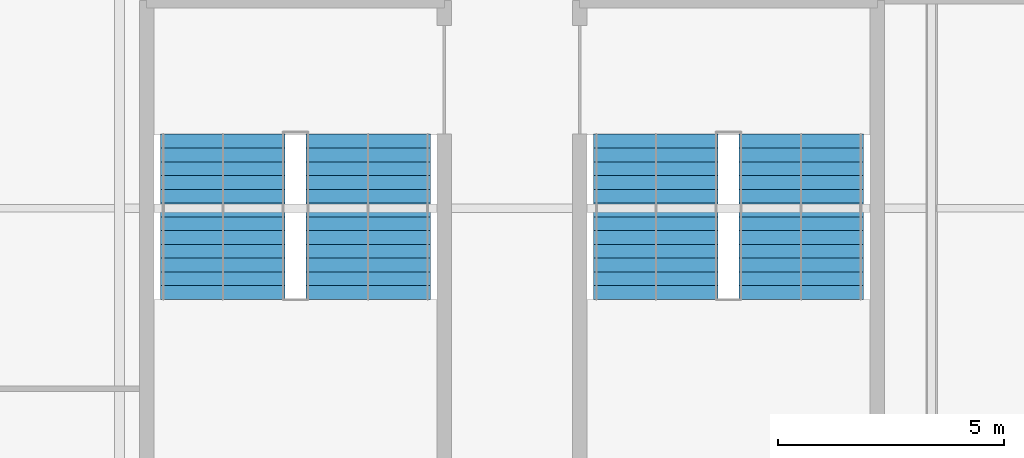
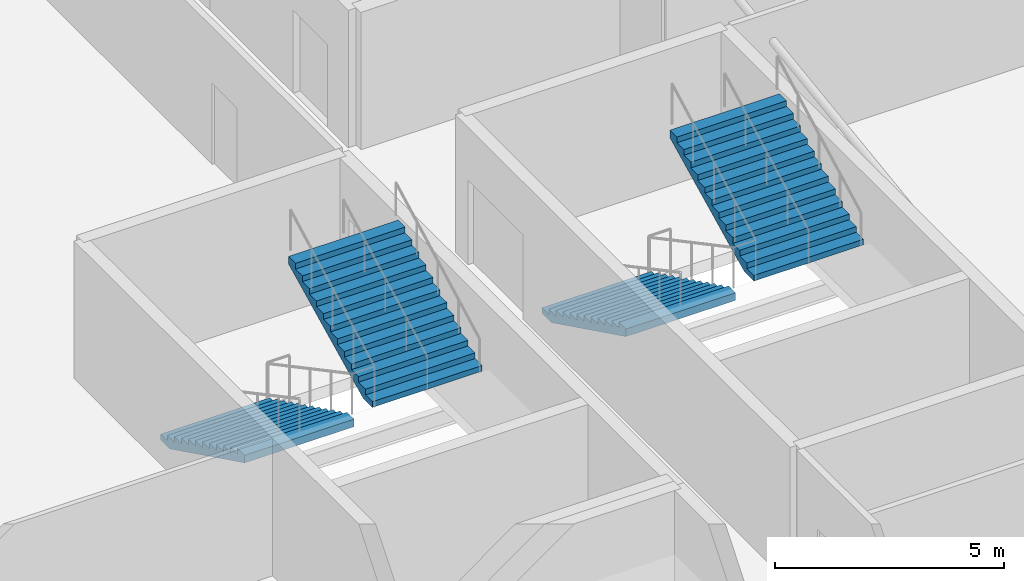
# One storey, part 86 of 96: 4 stair flights, 2 elements without a shape of their own.
"""IFC4 building model written with IfcOpenShell, lengths in metres."""

from ifc_helpers import new_model, si_unit, direction, frame, origin, place, context, subcontext, project, spatial, polygons, material, type_object, element, aggregate, save


model = new_model("IFC4")

# Units and contexts
model_context = context("Model", 3, precision=1e-05, world=origin(), true_north=direction((0.0, 1.0)))
body_context = subcontext(model_context, "Body", "Model", "MODEL_VIEW")
ifc_project = project(units=[si_unit("LENGTHUNIT", "METRE"), si_unit("AREAUNIT", "SQUARE_METRE"), si_unit("VOLUMEUNIT", "CUBIC_METRE"), si_unit("PLANEANGLEUNIT", "RADIAN"), si_unit("MASSUNIT", "GRAM", prefix="KILO")], contexts=[model_context])

# Site, building, storey
site_placement = place(None, origin())
site = spatial("IfcSite", under=ifc_project, at=site_placement, CompositionType="ELEMENT")
building_placement = place(site_placement, origin())
building = spatial("IfcBuilding", under=site, at=building_placement, Name="Kisiwana Market Hall", CompositionType="ELEMENT")
storey_placement = place(building_placement, frame((0.0, 0.0, 25.5)))
storey = spatial("IfcBuildingStorey", under=building, at=storey_placement, Name="L05", CompositionType="ELEMENT", Elevation=25.5)

# Stair, stair flights
ifc_material_1 = material(Name="Concrete C32/40", Category="concrete")
stair_type = type_object("IfcStairType", Name="ST-ESC-3900", PredefinedType="TWO_STRAIGHT_RUN_STAIR", material=ifc_material_1)
stair_1_placement = place(storey_placement, origin())
stair_1 = element("IfcStair", 1, at=stair_1_placement, inside=storey, type_object=stair_type, Name="Escape stair ST-E4-L05", PredefinedType="TWO_STRAIGHT_RUN_STAIR")
ifc_material_2 = material(Name="Concrete C32/40", Category="concrete")
stair_flight_type = type_object("IfcStairFlightType", Name="SF-ESC-3900", PredefinedType="STRAIGHT", material=ifc_material_2)
stair_flight_1_placement = place(storey_placement, frame((182.889892578125, 77.639892578125, 0.0), z_axis=(0.0, 0.0, 1.0), x_axis=(0.0, -1.0, 0.0)))
stair_flight_1 = element("IfcStairFlight", 2, at=stair_flight_1_placement, type_object=stair_flight_type, Name="ST-E4-L05 flight 1", NumberOfRisers=13, NumberOfTreads=12, PredefinedType="STRAIGHT", RiserHeight=0.15, TreadLength=0.305, context=body_context, shape_type="Tessellation", body=[
    polygons([(0.0, -1.380127, 0.0), (0.0, -0.690125, 0.0), (0.0, -0.000122, 0.0), (0.0, 0.68988, 0.0), (0.0, 1.379883, 0.0), (0.0, -1.380127, 0.149902), (0.0, -0.690125, 0.149902), (0.0, -0.000122, 0.149902), (0.0, 0.68988, 0.149902), (0.0, 1.379883, 0.149902), (0.304932, -1.380127, 0.149902), (0.304932, -0.690125, 0.149902), (0.304932, -0.000122, 0.149902), (0.304932, 0.68988, 0.149902), (0.304932, 1.379883, 0.149902), (0.304932, -1.380127, 0.300049), (0.304932, -0.690125, 0.300049), (0.304932, -0.000122, 0.300049), (0.304932, 0.68988, 0.300049), (0.304932, 1.379883, 0.300049), (0.610107, -1.380127, 0.300049), (0.610107, -0.690125, 0.300049), (0.610107, -0.000122, 0.300049), (0.610107, 0.68988, 0.300049), (0.610107, 1.379883, 0.300049), (0.610107, -1.380127, 0.449951), (0.610107, -0.690125, 0.449951), (0.610107, -0.000122, 0.449951), (0.610107, 0.68988, 0.449951), (0.610107, 1.379883, 0.449951), (0.915039, -1.380127, 0.449951), (0.915039, -0.690125, 0.449951), (0.915039, -0.000122, 0.449951), (0.915039, 0.68988, 0.449951), (0.915039, 1.379883, 0.449951), (0.915039, -1.380127, 0.600098), (0.915039, -0.690125, 0.600098), (0.915039, -0.000122, 0.600098), (0.915039, 0.68988, 0.600098), (0.915039, 1.379883, 0.600098), (1.219971, -1.380127, 0.600098), (1.219971, -0.690125, 0.600098), (1.219971, -0.000122, 0.600098), (1.219971, 0.68988, 0.600098), (1.219971, 1.379883, 0.600098), (1.219971, -1.380127, 0.75), (1.219971, -0.690125, 0.75), (1.219971, -0.000122, 0.75), (1.219971, 0.68988, 0.75), (1.219971, 1.379883, 0.75), (1.524902, -1.380127, 0.75), (1.524902, -0.690125, 0.75), (1.524902, -0.000122, 0.75), (1.524902, 0.68988, 0.75), (1.524902, 1.379883, 0.75), (1.524902, -1.380127, 0.899902), (1.524902, -0.690125, 0.899902), (1.524902, -0.000122, 0.899902), (1.524902, 0.68988, 0.899902), (1.524902, 1.379883, 0.899902), (1.830078, -1.380127, 0.899902), (1.830078, -0.690125, 0.899902), (1.830078, -0.000122, 0.899902), (1.830078, 0.68988, 0.899902), (1.830078, 1.379883, 0.899902), (1.830078, -1.380127, 1.050049), (1.830078, -0.690125, 1.050049), (1.830078, -0.000122, 1.050049), (1.830078, 0.68988, 1.050049), (1.830078, 1.379883, 1.050049), (2.13501, -1.380127, 1.050049), (2.13501, -0.690125, 1.050049), (2.13501, -0.000122, 1.050049), (2.13501, 0.68988, 1.050049), (2.13501, 1.379883, 1.050049), (2.13501, -1.380127, 1.199951), (2.13501, -0.690125, 1.199951), (2.13501, -0.000122, 1.199951), (2.13501, 0.68988, 1.199951), (2.13501, 1.379883, 1.199951), (2.439941, -1.380127, 1.199951), (2.439941, -0.690125, 1.199951), (2.439941, -0.000122, 1.199951), (2.439941, 0.68988, 1.199951), (2.439941, 1.379883, 1.199951), (2.439941, -1.380127, 1.350098), (2.439941, -0.690125, 1.350098), (2.439941, -0.000122, 1.350098), (2.439941, 0.68988, 1.350098), (2.439941, 1.379883, 1.350098), (2.745117, -1.380127, 1.350098), (2.745117, -0.690125, 1.350098), (2.745117, -0.000122, 1.350098), (2.745117, 0.68988, 1.350098), (2.745117, 1.379883, 1.350098), (2.745117, -1.380127, 1.5), (2.745117, -0.690125, 1.5), (2.745117, -0.000122, 1.5), (2.745117, 0.68988, 1.5), (2.745117, 1.379883, 1.5), (3.050049, -1.380127, 1.5), (3.050049, -0.690125, 1.5), (3.050049, -0.000122, 1.5), (3.050049, 0.68988, 1.5), (3.050049, 1.379883, 1.5), (3.050049, -1.380127, 1.649902), (3.050049, -0.690125, 1.649902), (3.050049, -0.000122, 1.649902), (3.050049, 0.68988, 1.649902), (3.050049, 1.379883, 1.649902), (3.35498, -1.380127, 1.649902), (3.35498, -0.690125, 1.649902), (3.35498, -0.000122, 1.649902), (3.35498, 0.68988, 1.649902), (3.35498, 1.379883, 1.649902), (3.35498, -1.380127, 1.800049), (3.35498, -0.690125, 1.800049), (3.35498, -0.000122, 1.800049), (3.35498, 0.68988, 1.800049), (3.35498, 1.379883, 1.800049), (3.659912, -1.380127, 1.800049), (3.659912, -0.690125, 1.800049), (3.659912, -0.000122, 1.800049), (3.659912, 0.68988, 1.800049), (3.659912, 1.379883, 1.800049), (3.659912, -1.380127, 1.599365), (3.659912, -0.690125, 1.599365), (3.659912, -0.000122, 1.599365), (3.659912, 0.68988, 1.599365), (3.659912, 1.379883, 1.599365), (0.407715, -1.380127, 0.0), (0.407715, -0.690125, 0.0), (0.407715, -0.000122, 0.0), (0.407715, 0.68988, 0.0), (0.407715, 1.379883, 0.0)], [[[1, 6, 7, 2]], [[2, 7, 8, 3]], [[3, 8, 9, 4]], [[4, 9, 10, 5]], [[6, 11, 12, 7]], [[7, 12, 13, 8]], [[8, 13, 14, 9]], [[9, 14, 15, 10]], [[11, 16, 17, 12]], [[12, 17, 18, 13]], [[13, 18, 19, 14]], [[14, 19, 20, 15]], [[16, 21, 22, 17]], [[17, 22, 23, 18]], [[18, 23, 24, 19]], [[19, 24, 25, 20]], [[21, 26, 27, 22]], [[22, 27, 28, 23]], [[23, 28, 29, 24]], [[24, 29, 30, 25]], [[26, 31, 32, 27]], [[27, 32, 33, 28]], [[28, 33, 34, 29]], [[29, 34, 35, 30]], [[31, 36, 37, 32]], [[32, 37, 38, 33]], [[33, 38, 39, 34]], [[34, 39, 40, 35]], [[36, 41, 42, 37]], [[37, 42, 43, 38]], [[38, 43, 44, 39]], [[39, 44, 45, 40]], [[41, 46, 47, 42]], [[42, 47, 48, 43]], [[43, 48, 49, 44]], [[44, 49, 50, 45]], [[46, 51, 52, 47]], [[47, 52, 53, 48]], [[48, 53, 54, 49]], [[49, 54, 55, 50]], [[51, 56, 57, 52]], [[52, 57, 58, 53]], [[53, 58, 59, 54]], [[54, 59, 60, 55]], [[56, 61, 62, 57]], [[57, 62, 63, 58]], [[58, 63, 64, 59]], [[59, 64, 65, 60]], [[61, 66, 67, 62]], [[62, 67, 68, 63]], [[63, 68, 69, 64]], [[64, 69, 70, 65]], [[66, 71, 72, 67]], [[67, 72, 73, 68]], [[68, 73, 74, 69]], [[69, 74, 75, 70]], [[71, 76, 77, 72]], [[72, 77, 78, 73]], [[73, 78, 79, 74]], [[74, 79, 80, 75]], [[76, 81, 82, 77]], [[77, 82, 83, 78]], [[78, 83, 84, 79]], [[79, 84, 85, 80]], [[81, 86, 87, 82]], [[82, 87, 88, 83]], [[83, 88, 89, 84]], [[84, 89, 90, 85]], [[86, 91, 92, 87]], [[87, 92, 93, 88]], [[88, 93, 94, 89]], [[89, 94, 95, 90]], [[91, 96, 97, 92]], [[92, 97, 98, 93]], [[93, 98, 99, 94]], [[94, 99, 100, 95]], [[96, 101, 102, 97]], [[97, 102, 103, 98]], [[98, 103, 104, 99]], [[99, 104, 105, 100]], [[101, 106, 107, 102]], [[102, 107, 108, 103]], [[103, 108, 109, 104]], [[104, 109, 110, 105]], [[106, 111, 112, 107]], [[107, 112, 113, 108]], [[108, 113, 114, 109]], [[109, 114, 115, 110]], [[111, 116, 117, 112]], [[112, 117, 118, 113]], [[113, 118, 119, 114]], [[114, 119, 120, 115]], [[116, 121, 122, 117]], [[117, 122, 123, 118]], [[118, 123, 124, 119]], [[119, 124, 125, 120]], [[121, 126, 127, 122]], [[122, 127, 128, 123]], [[123, 128, 129, 124]], [[124, 129, 130, 125]], [[126, 131, 132, 127]], [[127, 132, 133, 128]], [[128, 133, 134, 129]], [[129, 134, 135, 130]], [[131, 1, 2, 132]], [[132, 2, 3, 133]], [[133, 3, 4, 134]], [[134, 4, 5, 135]], [[131, 126, 121, 116, 111, 106, 101, 96, 91, 86, 81, 76, 71, 66, 61, 56, 51, 46, 41, 36, 31, 26, 21, 16, 11, 6, 1]], [[5, 10, 15, 20, 25, 30, 35, 40, 45, 50, 55, 60, 65, 70, 75, 80, 85, 90, 95, 100, 105, 110, 115, 120, 125, 130, 135]]], closed=True),
])
stair_flight_2_placement = place(storey_placement, frame((186.110107421875, 73.97998046875, 1.949951171875), z_axis=(0.0, 0.0, 1.0), x_axis=(0.0, 1.0, 0.0)))
stair_flight_2 = element("IfcStairFlight", 3, at=stair_flight_2_placement, type_object=stair_flight_type, Name="ST-E4-L05 flight 2", NumberOfRisers=13, NumberOfTreads=12, PredefinedType="STRAIGHT", RiserHeight=0.15, TreadLength=0.305, context=body_context, shape_type="Tessellation", body=[
    polygons([(0.0, -1.380127, 0.0), (0.0, -0.690125, 0.0), (0.0, -0.000122, 0.0), (0.0, 0.68988, 0.0), (0.0, 1.379883, 0.0), (0.0, -1.380127, 0.149902), (0.0, -0.690125, 0.149902), (0.0, -0.000122, 0.149902), (0.0, 0.68988, 0.149902), (0.0, 1.379883, 0.149902), (0.304932, -1.380127, 0.149902), (0.304932, -0.690125, 0.149902), (0.304932, -0.000122, 0.149902), (0.304932, 0.68988, 0.149902), (0.304932, 1.379883, 0.149902), (0.304932, -1.380127, 0.300049), (0.304932, -0.690125, 0.300049), (0.304932, -0.000122, 0.300049), (0.304932, 0.68988, 0.300049), (0.304932, 1.379883, 0.300049), (0.610107, -1.380127, 0.300049), (0.610107, -0.690125, 0.300049), (0.610107, -0.000122, 0.300049), (0.610107, 0.68988, 0.300049), (0.610107, 1.379883, 0.300049), (0.610107, -1.380127, 0.449951), (0.610107, -0.690125, 0.449951), (0.610107, -0.000122, 0.449951), (0.610107, 0.68988, 0.449951), (0.610107, 1.379883, 0.449951), (0.915039, -1.380127, 0.449951), (0.915039, -0.690125, 0.449951), (0.915039, -0.000122, 0.449951), (0.915039, 0.68988, 0.449951), (0.915039, 1.379883, 0.449951), (0.915039, -1.380127, 0.600098), (0.915039, -0.690125, 0.600098), (0.915039, -0.000122, 0.600098), (0.915039, 0.68988, 0.600098), (0.915039, 1.379883, 0.600098), (1.219971, -1.380127, 0.600098), (1.219971, -0.690125, 0.600098), (1.219971, -0.000122, 0.600098), (1.219971, 0.68988, 0.600098), (1.219971, 1.379883, 0.600098), (1.219971, -1.380127, 0.75), (1.219971, -0.690125, 0.75), (1.219971, -0.000122, 0.75), (1.219971, 0.68988, 0.75), (1.219971, 1.379883, 0.75), (1.524902, -1.380127, 0.75), (1.524902, -0.690125, 0.75), (1.524902, -0.000122, 0.75), (1.524902, 0.68988, 0.75), (1.524902, 1.379883, 0.75), (1.524902, -1.380127, 0.899902), (1.524902, -0.690125, 0.899902), (1.524902, -0.000122, 0.899902), (1.524902, 0.68988, 0.899902), (1.524902, 1.379883, 0.899902), (1.830078, -1.380127, 0.899902), (1.830078, -0.690125, 0.899902), (1.830078, -0.000122, 0.899902), (1.830078, 0.68988, 0.899902), (1.830078, 1.379883, 0.899902), (1.830078, -1.380127, 1.050049), (1.830078, -0.690125, 1.050049), (1.830078, -0.000122, 1.050049), (1.830078, 0.68988, 1.050049), (1.830078, 1.379883, 1.050049), (2.13501, -1.380127, 1.050049), (2.13501, -0.690125, 1.050049), (2.13501, -0.000122, 1.050049), (2.13501, 0.68988, 1.050049), (2.13501, 1.379883, 1.050049), (2.13501, -1.380127, 1.199951), (2.13501, -0.690125, 1.199951), (2.13501, -0.000122, 1.199951), (2.13501, 0.68988, 1.199951), (2.13501, 1.379883, 1.199951), (2.439941, -1.380127, 1.199951), (2.439941, -0.690125, 1.199951), (2.439941, -0.000122, 1.199951), (2.439941, 0.68988, 1.199951), (2.439941, 1.379883, 1.199951), (2.439941, -1.380127, 1.350098), (2.439941, -0.690125, 1.350098), (2.439941, -0.000122, 1.350098), (2.439941, 0.68988, 1.350098), (2.439941, 1.379883, 1.350098), (2.745117, -1.380127, 1.350098), (2.745117, -0.690125, 1.350098), (2.745117, -0.000122, 1.350098), (2.745117, 0.68988, 1.350098), (2.745117, 1.379883, 1.350098), (2.745117, -1.380127, 1.5), (2.745117, -0.690125, 1.5), (2.745117, -0.000122, 1.5), (2.745117, 0.68988, 1.5), (2.745117, 1.379883, 1.5), (3.050049, -1.380127, 1.5), (3.050049, -0.690125, 1.5), (3.050049, -0.000122, 1.5), (3.050049, 0.68988, 1.5), (3.050049, 1.379883, 1.5), (3.050049, -1.380127, 1.649902), (3.050049, -0.690125, 1.649902), (3.050049, -0.000122, 1.649902), (3.050049, 0.68988, 1.649902), (3.050049, 1.379883, 1.649902), (3.35498, -1.380127, 1.649902), (3.35498, -0.690125, 1.649902), (3.35498, -0.000122, 1.649902), (3.35498, 0.68988, 1.649902), (3.35498, 1.379883, 1.649902), (3.35498, -1.380127, 1.800049), (3.35498, -0.690125, 1.800049), (3.35498, -0.000122, 1.800049), (3.35498, 0.68988, 1.800049), (3.35498, 1.379883, 1.800049), (3.659912, -1.380127, 1.800049), (3.659912, -0.690125, 1.800049), (3.659912, -0.000122, 1.800049), (3.659912, 0.68988, 1.800049), (3.659912, 1.379883, 1.800049), (3.659912, -1.380127, 1.599365), (3.659912, -0.690125, 1.599365), (3.659912, -0.000122, 1.599365), (3.659912, 0.68988, 1.599365), (3.659912, 1.379883, 1.599365), (0.407715, -1.380127, 0.0), (0.407715, -0.690125, 0.0), (0.407715, -0.000122, 0.0), (0.407715, 0.68988, 0.0), (0.407715, 1.379883, 0.0)], [[[1, 6, 7, 2]], [[2, 7, 8, 3]], [[3, 8, 9, 4]], [[4, 9, 10, 5]], [[6, 11, 12, 7]], [[7, 12, 13, 8]], [[8, 13, 14, 9]], [[9, 14, 15, 10]], [[11, 16, 17, 12]], [[12, 17, 18, 13]], [[13, 18, 19, 14]], [[14, 19, 20, 15]], [[16, 21, 22, 17]], [[17, 22, 23, 18]], [[18, 23, 24, 19]], [[19, 24, 25, 20]], [[21, 26, 27, 22]], [[22, 27, 28, 23]], [[23, 28, 29, 24]], [[24, 29, 30, 25]], [[26, 31, 32, 27]], [[27, 32, 33, 28]], [[28, 33, 34, 29]], [[29, 34, 35, 30]], [[31, 36, 37, 32]], [[32, 37, 38, 33]], [[33, 38, 39, 34]], [[34, 39, 40, 35]], [[36, 41, 42, 37]], [[37, 42, 43, 38]], [[38, 43, 44, 39]], [[39, 44, 45, 40]], [[41, 46, 47, 42]], [[42, 47, 48, 43]], [[43, 48, 49, 44]], [[44, 49, 50, 45]], [[46, 51, 52, 47]], [[47, 52, 53, 48]], [[48, 53, 54, 49]], [[49, 54, 55, 50]], [[51, 56, 57, 52]], [[52, 57, 58, 53]], [[53, 58, 59, 54]], [[54, 59, 60, 55]], [[56, 61, 62, 57]], [[57, 62, 63, 58]], [[58, 63, 64, 59]], [[59, 64, 65, 60]], [[61, 66, 67, 62]], [[62, 67, 68, 63]], [[63, 68, 69, 64]], [[64, 69, 70, 65]], [[66, 71, 72, 67]], [[67, 72, 73, 68]], [[68, 73, 74, 69]], [[69, 74, 75, 70]], [[71, 76, 77, 72]], [[72, 77, 78, 73]], [[73, 78, 79, 74]], [[74, 79, 80, 75]], [[76, 81, 82, 77]], [[77, 82, 83, 78]], [[78, 83, 84, 79]], [[79, 84, 85, 80]], [[81, 86, 87, 82]], [[82, 87, 88, 83]], [[83, 88, 89, 84]], [[84, 89, 90, 85]], [[86, 91, 92, 87]], [[87, 92, 93, 88]], [[88, 93, 94, 89]], [[89, 94, 95, 90]], [[91, 96, 97, 92]], [[92, 97, 98, 93]], [[93, 98, 99, 94]], [[94, 99, 100, 95]], [[96, 101, 102, 97]], [[97, 102, 103, 98]], [[98, 103, 104, 99]], [[99, 104, 105, 100]], [[101, 106, 107, 102]], [[102, 107, 108, 103]], [[103, 108, 109, 104]], [[104, 109, 110, 105]], [[106, 111, 112, 107]], [[107, 112, 113, 108]], [[108, 113, 114, 109]], [[109, 114, 115, 110]], [[111, 116, 117, 112]], [[112, 117, 118, 113]], [[113, 118, 119, 114]], [[114, 119, 120, 115]], [[116, 121, 122, 117]], [[117, 122, 123, 118]], [[118, 123, 124, 119]], [[119, 124, 125, 120]], [[121, 126, 127, 122]], [[122, 127, 128, 123]], [[123, 128, 129, 124]], [[124, 129, 130, 125]], [[126, 131, 132, 127]], [[127, 132, 133, 128]], [[128, 133, 134, 129]], [[129, 134, 135, 130]], [[131, 1, 2, 132]], [[132, 2, 3, 133]], [[133, 3, 4, 134]], [[134, 4, 5, 135]], [[131, 126, 121, 116, 111, 106, 101, 96, 91, 86, 81, 76, 71, 66, 61, 56, 51, 46, 41, 36, 31, 26, 21, 16, 11, 6, 1]], [[5, 10, 15, 20, 25, 30, 35, 40, 45, 50, 55, 60, 65, 70, 75, 80, 85, 90, 95, 100, 105, 110, 115, 120, 125, 130, 135]]], closed=True),
])
aggregate(stair_1, [stair_flight_1, stair_flight_2])

stair_2_placement = place(storey_placement, origin())
stair_2 = element("IfcStair", 4, at=stair_2_placement, inside=storey, type_object=stair_type, Name="Escape stair ST-E8-L05", PredefinedType="TWO_STRAIGHT_RUN_STAIR")
stair_flight_3_placement = place(storey_placement, frame((173.2900390625, 77.639892578125, 0.0), z_axis=(0.0, 0.0, 1.0), x_axis=(0.0, -1.0, 0.0)))
stair_flight_3 = element("IfcStairFlight", 5, at=stair_flight_3_placement, type_object=stair_flight_type, Name="ST-E8-L05 flight 1", NumberOfRisers=13, NumberOfTreads=12, PredefinedType="STRAIGHT", RiserHeight=0.15, TreadLength=0.305, context=body_context, shape_type="Tessellation", body=[
    polygons([(0.0, -1.380127, 0.0), (0.0, -0.690125, 0.0), (0.0, -0.000122, 0.0), (0.0, 0.68988, 0.0), (0.0, 1.379883, 0.0), (0.0, -1.380127, 0.149902), (0.0, -0.690125, 0.149902), (0.0, -0.000122, 0.149902), (0.0, 0.68988, 0.149902), (0.0, 1.379883, 0.149902), (0.304932, -1.380127, 0.149902), (0.304932, -0.690125, 0.149902), (0.304932, -0.000122, 0.149902), (0.304932, 0.68988, 0.149902), (0.304932, 1.379883, 0.149902), (0.304932, -1.380127, 0.300049), (0.304932, -0.690125, 0.300049), (0.304932, -0.000122, 0.300049), (0.304932, 0.68988, 0.300049), (0.304932, 1.379883, 0.300049), (0.610107, -1.380127, 0.300049), (0.610107, -0.690125, 0.300049), (0.610107, -0.000122, 0.300049), (0.610107, 0.68988, 0.300049), (0.610107, 1.379883, 0.300049), (0.610107, -1.380127, 0.449951), (0.610107, -0.690125, 0.449951), (0.610107, -0.000122, 0.449951), (0.610107, 0.68988, 0.449951), (0.610107, 1.379883, 0.449951), (0.915039, -1.380127, 0.449951), (0.915039, -0.690125, 0.449951), (0.915039, -0.000122, 0.449951), (0.915039, 0.68988, 0.449951), (0.915039, 1.379883, 0.449951), (0.915039, -1.380127, 0.600098), (0.915039, -0.690125, 0.600098), (0.915039, -0.000122, 0.600098), (0.915039, 0.68988, 0.600098), (0.915039, 1.379883, 0.600098), (1.219971, -1.380127, 0.600098), (1.219971, -0.690125, 0.600098), (1.219971, -0.000122, 0.600098), (1.219971, 0.68988, 0.600098), (1.219971, 1.379883, 0.600098), (1.219971, -1.380127, 0.75), (1.219971, -0.690125, 0.75), (1.219971, -0.000122, 0.75), (1.219971, 0.68988, 0.75), (1.219971, 1.379883, 0.75), (1.524902, -1.380127, 0.75), (1.524902, -0.690125, 0.75), (1.524902, -0.000122, 0.75), (1.524902, 0.68988, 0.75), (1.524902, 1.379883, 0.75), (1.524902, -1.380127, 0.899902), (1.524902, -0.690125, 0.899902), (1.524902, -0.000122, 0.899902), (1.524902, 0.68988, 0.899902), (1.524902, 1.379883, 0.899902), (1.830078, -1.380127, 0.899902), (1.830078, -0.690125, 0.899902), (1.830078, -0.000122, 0.899902), (1.830078, 0.68988, 0.899902), (1.830078, 1.379883, 0.899902), (1.830078, -1.380127, 1.050049), (1.830078, -0.690125, 1.050049), (1.830078, -0.000122, 1.050049), (1.830078, 0.68988, 1.050049), (1.830078, 1.379883, 1.050049), (2.13501, -1.380127, 1.050049), (2.13501, -0.690125, 1.050049), (2.13501, -0.000122, 1.050049), (2.13501, 0.68988, 1.050049), (2.13501, 1.379883, 1.050049), (2.13501, -1.380127, 1.199951), (2.13501, -0.690125, 1.199951), (2.13501, -0.000122, 1.199951), (2.13501, 0.68988, 1.199951), (2.13501, 1.379883, 1.199951), (2.439941, -1.380127, 1.199951), (2.439941, -0.690125, 1.199951), (2.439941, -0.000122, 1.199951), (2.439941, 0.68988, 1.199951), (2.439941, 1.379883, 1.199951), (2.439941, -1.380127, 1.350098), (2.439941, -0.690125, 1.350098), (2.439941, -0.000122, 1.350098), (2.439941, 0.68988, 1.350098), (2.439941, 1.379883, 1.350098), (2.745117, -1.380127, 1.350098), (2.745117, -0.690125, 1.350098), (2.745117, -0.000122, 1.350098), (2.745117, 0.68988, 1.350098), (2.745117, 1.379883, 1.350098), (2.745117, -1.380127, 1.5), (2.745117, -0.690125, 1.5), (2.745117, -0.000122, 1.5), (2.745117, 0.68988, 1.5), (2.745117, 1.379883, 1.5), (3.050049, -1.380127, 1.5), (3.050049, -0.690125, 1.5), (3.050049, -0.000122, 1.5), (3.050049, 0.68988, 1.5), (3.050049, 1.379883, 1.5), (3.050049, -1.380127, 1.649902), (3.050049, -0.690125, 1.649902), (3.050049, -0.000122, 1.649902), (3.050049, 0.68988, 1.649902), (3.050049, 1.379883, 1.649902), (3.35498, -1.380127, 1.649902), (3.35498, -0.690125, 1.649902), (3.35498, -0.000122, 1.649902), (3.35498, 0.68988, 1.649902), (3.35498, 1.379883, 1.649902), (3.35498, -1.380127, 1.800049), (3.35498, -0.690125, 1.800049), (3.35498, -0.000122, 1.800049), (3.35498, 0.68988, 1.800049), (3.35498, 1.379883, 1.800049), (3.659912, -1.380127, 1.800049), (3.659912, -0.690125, 1.800049), (3.659912, -0.000122, 1.800049), (3.659912, 0.68988, 1.800049), (3.659912, 1.379883, 1.800049), (3.659912, -1.380127, 1.599365), (3.659912, -0.690125, 1.599365), (3.659912, -0.000122, 1.599365), (3.659912, 0.68988, 1.599365), (3.659912, 1.379883, 1.599365), (0.407715, -1.380127, 0.0), (0.407715, -0.690125, 0.0), (0.407715, -0.000122, 0.0), (0.407715, 0.68988, 0.0), (0.407715, 1.379883, 0.0)], [[[1, 6, 7, 2]], [[2, 7, 8, 3]], [[3, 8, 9, 4]], [[4, 9, 10, 5]], [[6, 11, 12, 7]], [[7, 12, 13, 8]], [[8, 13, 14, 9]], [[9, 14, 15, 10]], [[11, 16, 17, 12]], [[12, 17, 18, 13]], [[13, 18, 19, 14]], [[14, 19, 20, 15]], [[16, 21, 22, 17]], [[17, 22, 23, 18]], [[18, 23, 24, 19]], [[19, 24, 25, 20]], [[21, 26, 27, 22]], [[22, 27, 28, 23]], [[23, 28, 29, 24]], [[24, 29, 30, 25]], [[26, 31, 32, 27]], [[27, 32, 33, 28]], [[28, 33, 34, 29]], [[29, 34, 35, 30]], [[31, 36, 37, 32]], [[32, 37, 38, 33]], [[33, 38, 39, 34]], [[34, 39, 40, 35]], [[36, 41, 42, 37]], [[37, 42, 43, 38]], [[38, 43, 44, 39]], [[39, 44, 45, 40]], [[41, 46, 47, 42]], [[42, 47, 48, 43]], [[43, 48, 49, 44]], [[44, 49, 50, 45]], [[46, 51, 52, 47]], [[47, 52, 53, 48]], [[48, 53, 54, 49]], [[49, 54, 55, 50]], [[51, 56, 57, 52]], [[52, 57, 58, 53]], [[53, 58, 59, 54]], [[54, 59, 60, 55]], [[56, 61, 62, 57]], [[57, 62, 63, 58]], [[58, 63, 64, 59]], [[59, 64, 65, 60]], [[61, 66, 67, 62]], [[62, 67, 68, 63]], [[63, 68, 69, 64]], [[64, 69, 70, 65]], [[66, 71, 72, 67]], [[67, 72, 73, 68]], [[68, 73, 74, 69]], [[69, 74, 75, 70]], [[71, 76, 77, 72]], [[72, 77, 78, 73]], [[73, 78, 79, 74]], [[74, 79, 80, 75]], [[76, 81, 82, 77]], [[77, 82, 83, 78]], [[78, 83, 84, 79]], [[79, 84, 85, 80]], [[81, 86, 87, 82]], [[82, 87, 88, 83]], [[83, 88, 89, 84]], [[84, 89, 90, 85]], [[86, 91, 92, 87]], [[87, 92, 93, 88]], [[88, 93, 94, 89]], [[89, 94, 95, 90]], [[91, 96, 97, 92]], [[92, 97, 98, 93]], [[93, 98, 99, 94]], [[94, 99, 100, 95]], [[96, 101, 102, 97]], [[97, 102, 103, 98]], [[98, 103, 104, 99]], [[99, 104, 105, 100]], [[101, 106, 107, 102]], [[102, 107, 108, 103]], [[103, 108, 109, 104]], [[104, 109, 110, 105]], [[106, 111, 112, 107]], [[107, 112, 113, 108]], [[108, 113, 114, 109]], [[109, 114, 115, 110]], [[111, 116, 117, 112]], [[112, 117, 118, 113]], [[113, 118, 119, 114]], [[114, 119, 120, 115]], [[116, 121, 122, 117]], [[117, 122, 123, 118]], [[118, 123, 124, 119]], [[119, 124, 125, 120]], [[121, 126, 127, 122]], [[122, 127, 128, 123]], [[123, 128, 129, 124]], [[124, 129, 130, 125]], [[126, 131, 132, 127]], [[127, 132, 133, 128]], [[128, 133, 134, 129]], [[129, 134, 135, 130]], [[131, 1, 2, 132]], [[132, 2, 3, 133]], [[133, 3, 4, 134]], [[134, 4, 5, 135]], [[131, 126, 121, 116, 111, 106, 101, 96, 91, 86, 81, 76, 71, 66, 61, 56, 51, 46, 41, 36, 31, 26, 21, 16, 11, 6, 1]], [[5, 10, 15, 20, 25, 30, 35, 40, 45, 50, 55, 60, 65, 70, 75, 80, 85, 90, 95, 100, 105, 110, 115, 120, 125, 130, 135]]], closed=True),
])
stair_flight_4_placement = place(storey_placement, frame((176.510009765625, 73.97998046875, 1.949951171875), z_axis=(0.0, 0.0, 1.0), x_axis=(0.0, 1.0, 0.0)))
stair_flight_4 = element("IfcStairFlight", 6, at=stair_flight_4_placement, type_object=stair_flight_type, Name="ST-E8-L05 flight 2", NumberOfRisers=13, NumberOfTreads=12, PredefinedType="STRAIGHT", RiserHeight=0.15, TreadLength=0.305, context=body_context, shape_type="Tessellation", body=[
    polygons([(0.0, -1.380127, 0.0), (0.0, -0.690125, 0.0), (0.0, -0.000122, 0.0), (0.0, 0.68988, 0.0), (0.0, 1.379883, 0.0), (0.0, -1.380127, 0.149902), (0.0, -0.690125, 0.149902), (0.0, -0.000122, 0.149902), (0.0, 0.68988, 0.149902), (0.0, 1.379883, 0.149902), (0.304932, -1.380127, 0.149902), (0.304932, -0.690125, 0.149902), (0.304932, -0.000122, 0.149902), (0.304932, 0.68988, 0.149902), (0.304932, 1.379883, 0.149902), (0.304932, -1.380127, 0.300049), (0.304932, -0.690125, 0.300049), (0.304932, -0.000122, 0.300049), (0.304932, 0.68988, 0.300049), (0.304932, 1.379883, 0.300049), (0.610107, -1.380127, 0.300049), (0.610107, -0.690125, 0.300049), (0.610107, -0.000122, 0.300049), (0.610107, 0.68988, 0.300049), (0.610107, 1.379883, 0.300049), (0.610107, -1.380127, 0.449951), (0.610107, -0.690125, 0.449951), (0.610107, -0.000122, 0.449951), (0.610107, 0.68988, 0.449951), (0.610107, 1.379883, 0.449951), (0.915039, -1.380127, 0.449951), (0.915039, -0.690125, 0.449951), (0.915039, -0.000122, 0.449951), (0.915039, 0.68988, 0.449951), (0.915039, 1.379883, 0.449951), (0.915039, -1.380127, 0.600098), (0.915039, -0.690125, 0.600098), (0.915039, -0.000122, 0.600098), (0.915039, 0.68988, 0.600098), (0.915039, 1.379883, 0.600098), (1.219971, -1.380127, 0.600098), (1.219971, -0.690125, 0.600098), (1.219971, -0.000122, 0.600098), (1.219971, 0.68988, 0.600098), (1.219971, 1.379883, 0.600098), (1.219971, -1.380127, 0.75), (1.219971, -0.690125, 0.75), (1.219971, -0.000122, 0.75), (1.219971, 0.68988, 0.75), (1.219971, 1.379883, 0.75), (1.524902, -1.380127, 0.75), (1.524902, -0.690125, 0.75), (1.524902, -0.000122, 0.75), (1.524902, 0.68988, 0.75), (1.524902, 1.379883, 0.75), (1.524902, -1.380127, 0.899902), (1.524902, -0.690125, 0.899902), (1.524902, -0.000122, 0.899902), (1.524902, 0.68988, 0.899902), (1.524902, 1.379883, 0.899902), (1.830078, -1.380127, 0.899902), (1.830078, -0.690125, 0.899902), (1.830078, -0.000122, 0.899902), (1.830078, 0.68988, 0.899902), (1.830078, 1.379883, 0.899902), (1.830078, -1.380127, 1.050049), (1.830078, -0.690125, 1.050049), (1.830078, -0.000122, 1.050049), (1.830078, 0.68988, 1.050049), (1.830078, 1.379883, 1.050049), (2.13501, -1.380127, 1.050049), (2.13501, -0.690125, 1.050049), (2.13501, -0.000122, 1.050049), (2.13501, 0.68988, 1.050049), (2.13501, 1.379883, 1.050049), (2.13501, -1.380127, 1.199951), (2.13501, -0.690125, 1.199951), (2.13501, -0.000122, 1.199951), (2.13501, 0.68988, 1.199951), (2.13501, 1.379883, 1.199951), (2.439941, -1.380127, 1.199951), (2.439941, -0.690125, 1.199951), (2.439941, -0.000122, 1.199951), (2.439941, 0.68988, 1.199951), (2.439941, 1.379883, 1.199951), (2.439941, -1.380127, 1.350098), (2.439941, -0.690125, 1.350098), (2.439941, -0.000122, 1.350098), (2.439941, 0.68988, 1.350098), (2.439941, 1.379883, 1.350098), (2.745117, -1.380127, 1.350098), (2.745117, -0.690125, 1.350098), (2.745117, -0.000122, 1.350098), (2.745117, 0.68988, 1.350098), (2.745117, 1.379883, 1.350098), (2.745117, -1.380127, 1.5), (2.745117, -0.690125, 1.5), (2.745117, -0.000122, 1.5), (2.745117, 0.68988, 1.5), (2.745117, 1.379883, 1.5), (3.050049, -1.380127, 1.5), (3.050049, -0.690125, 1.5), (3.050049, -0.000122, 1.5), (3.050049, 0.68988, 1.5), (3.050049, 1.379883, 1.5), (3.050049, -1.380127, 1.649902), (3.050049, -0.690125, 1.649902), (3.050049, -0.000122, 1.649902), (3.050049, 0.68988, 1.649902), (3.050049, 1.379883, 1.649902), (3.35498, -1.380127, 1.649902), (3.35498, -0.690125, 1.649902), (3.35498, -0.000122, 1.649902), (3.35498, 0.68988, 1.649902), (3.35498, 1.379883, 1.649902), (3.35498, -1.380127, 1.800049), (3.35498, -0.690125, 1.800049), (3.35498, -0.000122, 1.800049), (3.35498, 0.68988, 1.800049), (3.35498, 1.379883, 1.800049), (3.659912, -1.380127, 1.800049), (3.659912, -0.690125, 1.800049), (3.659912, -0.000122, 1.800049), (3.659912, 0.68988, 1.800049), (3.659912, 1.379883, 1.800049), (3.659912, -1.380127, 1.599365), (3.659912, -0.690125, 1.599365), (3.659912, -0.000122, 1.599365), (3.659912, 0.68988, 1.599365), (3.659912, 1.379883, 1.599365), (0.407715, -1.380127, 0.0), (0.407715, -0.690125, 0.0), (0.407715, -0.000122, 0.0), (0.407715, 0.68988, 0.0), (0.407715, 1.379883, 0.0)], [[[1, 6, 7, 2]], [[2, 7, 8, 3]], [[3, 8, 9, 4]], [[4, 9, 10, 5]], [[6, 11, 12, 7]], [[7, 12, 13, 8]], [[8, 13, 14, 9]], [[9, 14, 15, 10]], [[11, 16, 17, 12]], [[12, 17, 18, 13]], [[13, 18, 19, 14]], [[14, 19, 20, 15]], [[16, 21, 22, 17]], [[17, 22, 23, 18]], [[18, 23, 24, 19]], [[19, 24, 25, 20]], [[21, 26, 27, 22]], [[22, 27, 28, 23]], [[23, 28, 29, 24]], [[24, 29, 30, 25]], [[26, 31, 32, 27]], [[27, 32, 33, 28]], [[28, 33, 34, 29]], [[29, 34, 35, 30]], [[31, 36, 37, 32]], [[32, 37, 38, 33]], [[33, 38, 39, 34]], [[34, 39, 40, 35]], [[36, 41, 42, 37]], [[37, 42, 43, 38]], [[38, 43, 44, 39]], [[39, 44, 45, 40]], [[41, 46, 47, 42]], [[42, 47, 48, 43]], [[43, 48, 49, 44]], [[44, 49, 50, 45]], [[46, 51, 52, 47]], [[47, 52, 53, 48]], [[48, 53, 54, 49]], [[49, 54, 55, 50]], [[51, 56, 57, 52]], [[52, 57, 58, 53]], [[53, 58, 59, 54]], [[54, 59, 60, 55]], [[56, 61, 62, 57]], [[57, 62, 63, 58]], [[58, 63, 64, 59]], [[59, 64, 65, 60]], [[61, 66, 67, 62]], [[62, 67, 68, 63]], [[63, 68, 69, 64]], [[64, 69, 70, 65]], [[66, 71, 72, 67]], [[67, 72, 73, 68]], [[68, 73, 74, 69]], [[69, 74, 75, 70]], [[71, 76, 77, 72]], [[72, 77, 78, 73]], [[73, 78, 79, 74]], [[74, 79, 80, 75]], [[76, 81, 82, 77]], [[77, 82, 83, 78]], [[78, 83, 84, 79]], [[79, 84, 85, 80]], [[81, 86, 87, 82]], [[82, 87, 88, 83]], [[83, 88, 89, 84]], [[84, 89, 90, 85]], [[86, 91, 92, 87]], [[87, 92, 93, 88]], [[88, 93, 94, 89]], [[89, 94, 95, 90]], [[91, 96, 97, 92]], [[92, 97, 98, 93]], [[93, 98, 99, 94]], [[94, 99, 100, 95]], [[96, 101, 102, 97]], [[97, 102, 103, 98]], [[98, 103, 104, 99]], [[99, 104, 105, 100]], [[101, 106, 107, 102]], [[102, 107, 108, 103]], [[103, 108, 109, 104]], [[104, 109, 110, 105]], [[106, 111, 112, 107]], [[107, 112, 113, 108]], [[108, 113, 114, 109]], [[109, 114, 115, 110]], [[111, 116, 117, 112]], [[112, 117, 118, 113]], [[113, 118, 119, 114]], [[114, 119, 120, 115]], [[116, 121, 122, 117]], [[117, 122, 123, 118]], [[118, 123, 124, 119]], [[119, 124, 125, 120]], [[121, 126, 127, 122]], [[122, 127, 128, 123]], [[123, 128, 129, 124]], [[124, 129, 130, 125]], [[126, 131, 132, 127]], [[127, 132, 133, 128]], [[128, 133, 134, 129]], [[129, 134, 135, 130]], [[131, 1, 2, 132]], [[132, 2, 3, 133]], [[133, 3, 4, 134]], [[134, 4, 5, 135]], [[131, 126, 121, 116, 111, 106, 101, 96, 91, 86, 81, 76, 71, 66, 61, 56, 51, 46, 41, 36, 31, 26, 21, 16, 11, 6, 1]], [[5, 10, 15, 20, 25, 30, 35, 40, 45, 50, 55, 60, 65, 70, 75, 80, 85, 90, 95, 100, 105, 110, 115, 120, 125, 130, 135]]], closed=True),
])
aggregate(stair_2, [stair_flight_3, stair_flight_4])

save(model, "model.ifc")
